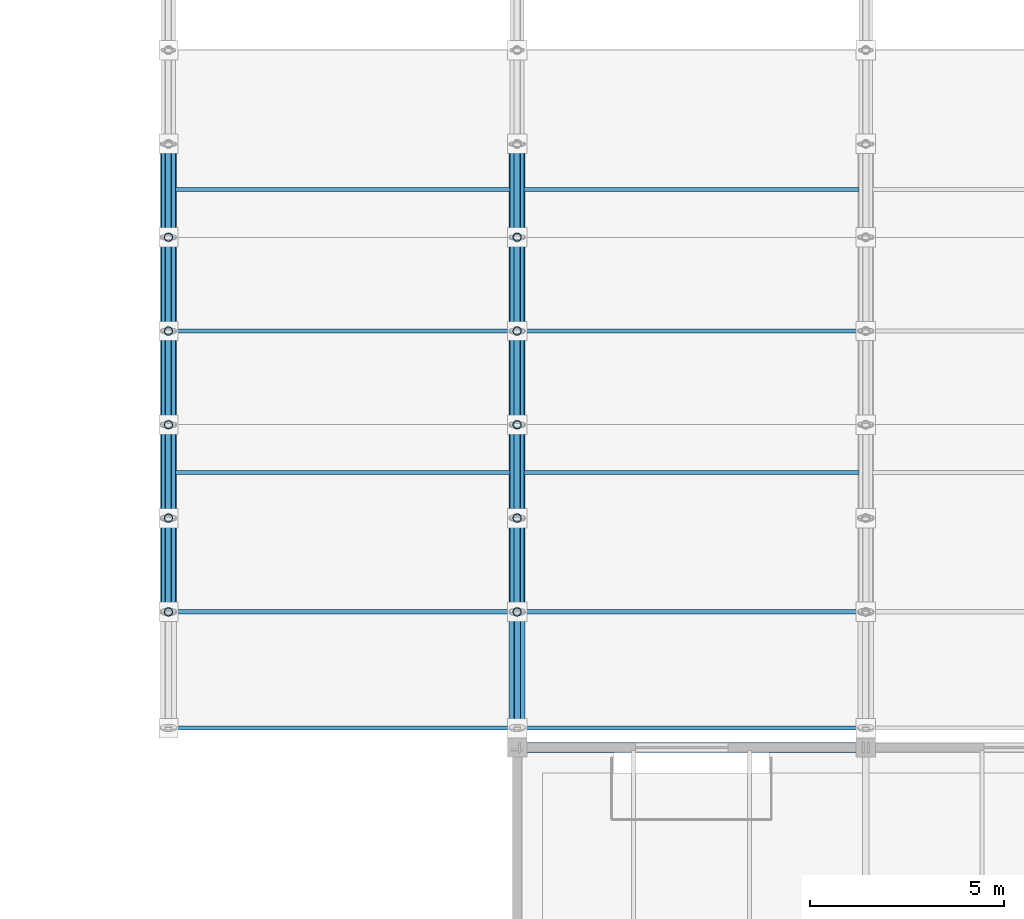
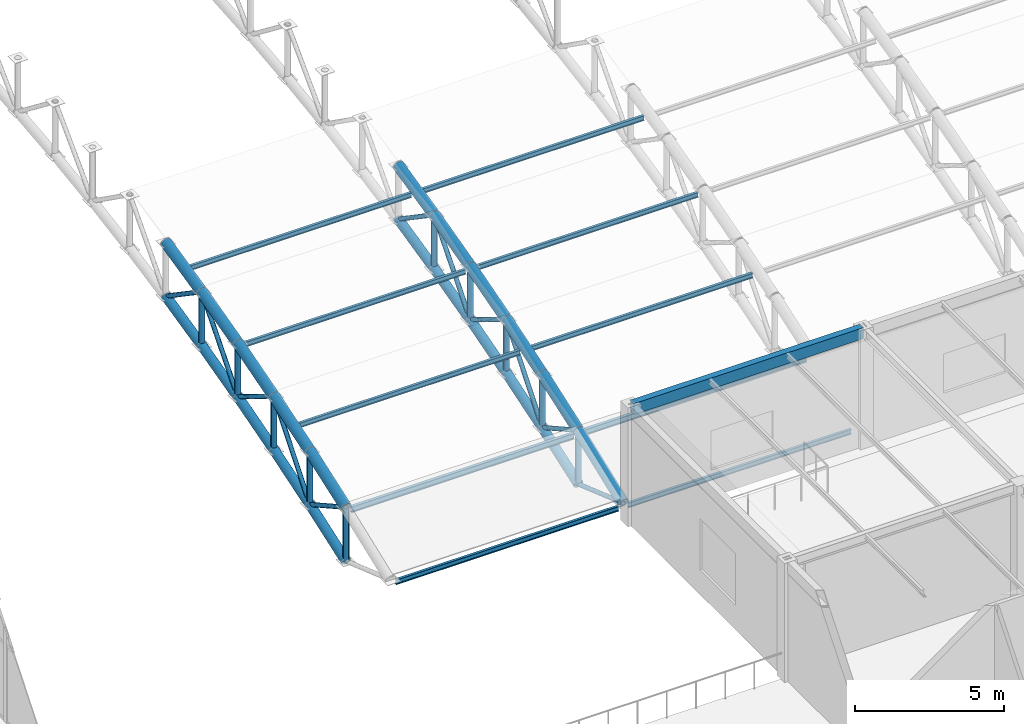
# One storey, part 67 of 195: 52 members, 1 beam.
"""IFC4 building model written with IfcOpenShell, lengths in metres."""

from ifc_helpers import new_model, si_unit, direction, frame, origin, origin_2d, place, context, subcontext, project, spatial, hollow_rectangle, hollow_circle, i_section, extrude, material, material_profile, profile_set, type_object, element, save


model = new_model("IFC4")

# Units and contexts
model_context = context("Model", 3, precision=1e-05, world=origin(), true_north=direction((0.0, 1.0)))
body_context = subcontext(model_context, "Body", "Model", "MODEL_VIEW")
ifc_project = project(units=[si_unit("LENGTHUNIT", "METRE"), si_unit("AREAUNIT", "SQUARE_METRE"), si_unit("VOLUMEUNIT", "CUBIC_METRE"), si_unit("PLANEANGLEUNIT", "RADIAN"), si_unit("MASSUNIT", "GRAM", prefix="KILO")], contexts=[model_context])

# Site, building, storey
site_placement = place(None, origin())
site = spatial("IfcSite", under=ifc_project, at=site_placement, CompositionType="ELEMENT")
building_placement = place(site_placement, origin())
building = spatial("IfcBuilding", under=site, at=building_placement, Name="Marlcrest Central Station", CompositionType="ELEMENT")
storey_placement = place(building_placement, frame((0.0, 0.0, 9.800048828125)))
storey = spatial("IfcBuildingStorey", under=building, at=storey_placement, Name="L02", CompositionType="ELEMENT", Elevation=9.800048828125)

# Members
ifc_material = material(Name="Steel S355", Category="steel")
ifc_material_profile_1 = material_profile(ifc_material, hollow_circle(Radius=0.203125, WallThickness=0.02001953125, at=origin_2d()), Name="CHS 406.4x20")
ifc_profile_set_1 = profile_set([ifc_material_profile_1], Name="Steel S355")
member_type_1 = type_object("IfcMemberType", Name="AC-01", PredefinedType="CHORD", material=ifc_profile_set_1)
member_1_placement = place(storey_placement, frame((144.0, 36.5, 1.599853515625), z_axis=(0.0, 0.94353735649, 0.331266142109), x_axis=(-1.0, 0.0, 0.0)))
element("IfcMember", 1, at=member_1_placement, inside=storey, type_object=member_type_1, Name="mem-AC-01-L02-01092", PredefinedType="CHORD", context=body_context, shape_type="SweptSolid", body=[
    extrude(hollow_circle(Radius=0.203125, WallThickness=0.02001953125, at=origin_2d()), origin(), (0.0, 0.0, 1.0), 2.564697265625),
])
member_2_placement = place(storey_placement, frame((144.0, 38.919921875, 2.449462890625), z_axis=(0.0, 0.952116828449, 0.305734435391), x_axis=(-1.0, 0.0, 0.0)))
element("IfcMember", 2, at=member_2_placement, inside=storey, type_object=member_type_1, Name="mem-AC-01-L02-01096", PredefinedType="CHORD", context=body_context, shape_type="SweptSolid", body=[
    extrude(hollow_circle(Radius=0.203125, WallThickness=0.02001953125, at=origin_2d()), origin(), (0.0, 0.0, 1.0), 2.53125),
])
member_3_placement = place(storey_placement, frame((144.0, 41.330078125, 3.223388671875), z_axis=(0.0, 0.960130083362, 0.27955361386), x_axis=(-1.0, 0.0, 0.0)))
element("IfcMember", 3, at=member_3_placement, inside=storey, type_object=member_type_1, Name="mem-AC-01-L02-01100", PredefinedType="CHORD", context=body_context, shape_type="SweptSolid", body=[
    extrude(hollow_circle(Radius=0.203125, WallThickness=0.02001953125, at=origin_2d()), origin(), (0.0, 0.0, 1.0), 2.5205078125),
])
member_4_placement = place(storey_placement, frame((144.0, 43.75, 3.927978515625), z_axis=(0.0, 0.967539481681, 0.252719906989), x_axis=(-1.0, 0.0, 0.0)))
element("IfcMember", 4, at=member_4_placement, inside=storey, type_object=member_type_1, Name="mem-AC-01-L02-01104", PredefinedType="CHORD", context=body_context, shape_type="SweptSolid", body=[
    extrude(hollow_circle(Radius=0.203125, WallThickness=0.02001953125, at=origin_2d()), origin(), (0.0, 0.0, 1.0), 2.501220703125),
])
member_5_placement = place(storey_placement, frame((144.0, 46.169921875, 4.56005859375), z_axis=(0.0, 0.974329612642, 0.225126200004), x_axis=(-1.0, 0.0, 0.0)))
element("IfcMember", 5, at=member_5_placement, inside=storey, type_object=member_type_1, Name="mem-AC-01-L02-01108", PredefinedType="CHORD", context=body_context, shape_type="SweptSolid", body=[
    extrude(hollow_circle(Radius=0.203125, WallThickness=0.02001953125, at=origin_2d()), origin(), (0.0, 0.0, 1.0), 2.4736328125),
])
member_6_placement = place(storey_placement, frame((153.0, 33.5, 0.44580078125), z_axis=(0.0, 0.933324071143, 0.359035065453), x_axis=(-1.0, 0.0, 0.0)))
element("IfcMember", 6, at=member_6_placement, inside=storey, type_object=member_type_1, Name="mem-AC-01-L02-01206", PredefinedType="CHORD", context=body_context, shape_type="SweptSolid", body=[
    extrude(hollow_circle(Radius=0.203125, WallThickness=0.02001953125, at=origin_2d()), origin(), (0.0, 0.0, 1.0), 3.21435546875),
])
member_7_placement = place(storey_placement, frame((153.0, 36.5, 1.599853515625), z_axis=(0.0, 0.94353735649, 0.331266142109), x_axis=(-1.0, 0.0, 0.0)))
element("IfcMember", 7, at=member_7_placement, inside=storey, type_object=member_type_1, Name="mem-AC-01-L02-01208", PredefinedType="CHORD", context=body_context, shape_type="SweptSolid", body=[
    extrude(hollow_circle(Radius=0.203125, WallThickness=0.02001953125, at=origin_2d()), origin(), (0.0, 0.0, 1.0), 2.564697265625),
])
member_8_placement = place(storey_placement, frame((153.0, 38.919921875, 2.449462890625), z_axis=(0.0, 0.952116828449, 0.305734435391), x_axis=(-1.0, 0.0, 0.0)))
element("IfcMember", 8, at=member_8_placement, inside=storey, type_object=member_type_1, Name="mem-AC-01-L02-01212", PredefinedType="CHORD", context=body_context, shape_type="SweptSolid", body=[
    extrude(hollow_circle(Radius=0.203125, WallThickness=0.02001953125, at=origin_2d()), origin(), (0.0, 0.0, 1.0), 2.53125),
])
member_9_placement = place(storey_placement, frame((153.0, 41.330078125, 3.223388671875), z_axis=(0.0, 0.960130083362, 0.27955361386), x_axis=(-1.0, 0.0, 0.0)))
element("IfcMember", 9, at=member_9_placement, inside=storey, type_object=member_type_1, Name="mem-AC-01-L02-01216", PredefinedType="CHORD", context=body_context, shape_type="SweptSolid", body=[
    extrude(hollow_circle(Radius=0.203125, WallThickness=0.02001953125, at=origin_2d()), origin(), (0.0, 0.0, 1.0), 2.5205078125),
])
member_10_placement = place(storey_placement, frame((153.0, 43.75, 3.927978515625), z_axis=(0.0, 0.967539481681, 0.252719906989), x_axis=(-1.0, 0.0, 0.0)))
element("IfcMember", 10, at=member_10_placement, inside=storey, type_object=member_type_1, Name="mem-AC-01-L02-01220", PredefinedType="CHORD", context=body_context, shape_type="SweptSolid", body=[
    extrude(hollow_circle(Radius=0.203125, WallThickness=0.02001953125, at=origin_2d()), origin(), (0.0, 0.0, 1.0), 2.501220703125),
])
member_11_placement = place(storey_placement, frame((153.0, 46.169921875, 4.56005859375), z_axis=(0.0, 0.974329612642, 0.225126200004), x_axis=(-1.0, 0.0, 0.0)))
element("IfcMember", 11, at=member_11_placement, inside=storey, type_object=member_type_1, Name="mem-AC-01-L02-01224", PredefinedType="CHORD", context=body_context, shape_type="SweptSolid", body=[
    extrude(hollow_circle(Radius=0.203125, WallThickness=0.02001953125, at=origin_2d()), origin(), (0.0, 0.0, 1.0), 2.4736328125),
])
ifc_material_profile_2 = material_profile(ifc_material, hollow_circle(Radius=0.177734375, WallThickness=0.01611328125, at=origin_2d()), Name="CHS 355.6x16")
ifc_profile_set_2 = profile_set([ifc_material_profile_2], Name="Steel S355")
member_type_2 = type_object("IfcMemberType", Name="AC-02", PredefinedType="CHORD", material=ifc_profile_set_2)
member_12_placement = place(storey_placement, frame((144.0, 36.5, -0.60009765625), z_axis=(0.0, 0.94353735649, 0.331266142109), x_axis=(-1.0, 0.0, 0.0)))
element("IfcMember", 12, at=member_12_placement, inside=storey, type_object=member_type_2, Name="mem-AC-02-L02-01093", PredefinedType="CHORD", context=body_context, shape_type="SweptSolid", body=[
    extrude(hollow_circle(Radius=0.177734375, WallThickness=0.01611328125, at=origin_2d()), origin(), (0.0, 0.0, 1.0), 2.564697265625),
])
member_13_placement = place(storey_placement, frame((144.0, 38.919921875, 0.24951171875), z_axis=(0.0, 0.952116828449, 0.305734435391), x_axis=(-1.0, 0.0, 0.0)))
element("IfcMember", 13, at=member_13_placement, inside=storey, type_object=member_type_2, Name="mem-AC-02-L02-01097", PredefinedType="CHORD", context=body_context, shape_type="SweptSolid", body=[
    extrude(hollow_circle(Radius=0.177734375, WallThickness=0.01611328125, at=origin_2d()), origin(), (0.0, 0.0, 1.0), 2.53125),
])
member_14_placement = place(storey_placement, frame((144.0, 41.330078125, 1.0234375), z_axis=(0.0, 0.960130083362, 0.27955361386), x_axis=(-1.0, 0.0, 0.0)))
element("IfcMember", 14, at=member_14_placement, inside=storey, type_object=member_type_2, Name="mem-AC-02-L02-01101", PredefinedType="CHORD", context=body_context, shape_type="SweptSolid", body=[
    extrude(hollow_circle(Radius=0.177734375, WallThickness=0.01611328125, at=origin_2d()), origin(), (0.0, 0.0, 1.0), 2.5205078125),
])
member_15_placement = place(storey_placement, frame((144.0, 43.75, 1.72802734375), z_axis=(0.0, 0.967563345928, 0.252628524946), x_axis=(-1.0, 0.0, 0.0)))
element("IfcMember", 15, at=member_15_placement, inside=storey, type_object=member_type_2, Name="mem-AC-02-L02-01105", PredefinedType="CHORD", context=body_context, shape_type="SweptSolid", body=[
    extrude(hollow_circle(Radius=0.177734375, WallThickness=0.01611328125, at=origin_2d()), origin(), (0.0, 0.0, 1.0), 2.5009765625),
])
member_16_placement = place(storey_placement, frame((144.0, 46.169921875, 2.35986328125), z_axis=(0.0, 0.974307959875, 0.225219891049), x_axis=(-1.0, 0.0, 0.0)))
element("IfcMember", 16, at=member_16_placement, inside=storey, type_object=member_type_2, Name="mem-AC-02-L02-01109", PredefinedType="CHORD", context=body_context, shape_type="SweptSolid", body=[
    extrude(hollow_circle(Radius=0.177734375, WallThickness=0.01611328125, at=origin_2d()), origin(), (0.0, 0.0, 1.0), 2.4736328125),
])
member_17_placement = place(storey_placement, frame((153.0, 36.5, -0.60009765625), z_axis=(0.0, 0.94353735649, 0.331266142109), x_axis=(-1.0, 0.0, 0.0)))
element("IfcMember", 17, at=member_17_placement, inside=storey, type_object=member_type_2, Name="mem-AC-02-L02-01209", PredefinedType="CHORD", context=body_context, shape_type="SweptSolid", body=[
    extrude(hollow_circle(Radius=0.177734375, WallThickness=0.01611328125, at=origin_2d()), origin(), (0.0, 0.0, 1.0), 2.564697265625),
])
member_18_placement = place(storey_placement, frame((153.0, 38.919921875, 0.24951171875), z_axis=(0.0, 0.952116828449, 0.305734435391), x_axis=(-1.0, 0.0, 0.0)))
element("IfcMember", 18, at=member_18_placement, inside=storey, type_object=member_type_2, Name="mem-AC-02-L02-01213", PredefinedType="CHORD", context=body_context, shape_type="SweptSolid", body=[
    extrude(hollow_circle(Radius=0.177734375, WallThickness=0.01611328125, at=origin_2d()), origin(), (0.0, 0.0, 1.0), 2.53125),
])
member_19_placement = place(storey_placement, frame((153.0, 41.330078125, 1.0234375), z_axis=(0.0, 0.960130083362, 0.27955361386), x_axis=(-1.0, 0.0, 0.0)))
element("IfcMember", 19, at=member_19_placement, inside=storey, type_object=member_type_2, Name="mem-AC-02-L02-01217", PredefinedType="CHORD", context=body_context, shape_type="SweptSolid", body=[
    extrude(hollow_circle(Radius=0.177734375, WallThickness=0.01611328125, at=origin_2d()), origin(), (0.0, 0.0, 1.0), 2.5205078125),
])
member_20_placement = place(storey_placement, frame((153.0, 43.75, 1.72802734375), z_axis=(0.0, 0.967563345928, 0.252628524946), x_axis=(-1.0, 0.0, 0.0)))
element("IfcMember", 20, at=member_20_placement, inside=storey, type_object=member_type_2, Name="mem-AC-02-L02-01221", PredefinedType="CHORD", context=body_context, shape_type="SweptSolid", body=[
    extrude(hollow_circle(Radius=0.177734375, WallThickness=0.01611328125, at=origin_2d()), origin(), (0.0, 0.0, 1.0), 2.5009765625),
])
member_21_placement = place(storey_placement, frame((153.0, 46.169921875, 2.35986328125), z_axis=(0.0, 0.974307959875, 0.225219891049), x_axis=(-1.0, 0.0, 0.0)))
element("IfcMember", 21, at=member_21_placement, inside=storey, type_object=member_type_2, Name="mem-AC-02-L02-01225", PredefinedType="CHORD", context=body_context, shape_type="SweptSolid", body=[
    extrude(hollow_circle(Radius=0.177734375, WallThickness=0.01611328125, at=origin_2d()), origin(), (0.0, 0.0, 1.0), 2.4736328125),
])
ifc_material_profile_3 = material_profile(ifc_material, hollow_circle(Radius=0.084228515625, WallThickness=0.010009765625, at=origin_2d()), Name="CHS 168.3x10")
ifc_profile_set_3 = profile_set([ifc_material_profile_3], Name="Steel S355")
member_type_3 = type_object("IfcMemberType", Name="AD-01", PredefinedType="BRACE", material=ifc_profile_set_3)
member_22_placement = place(storey_placement, frame((144.0, 36.5, 1.599853515625), z_axis=(0.0, 0.873245653167, -0.487280236851), x_axis=(-1.0, 0.0, 0.0)))
element("IfcMember", 22, at=member_22_placement, inside=storey, type_object=member_type_3, Name="mem-AD-01-L02-01095", PredefinedType="BRACE", context=body_context, shape_type="SweptSolid", body=[
    extrude(hollow_circle(Radius=0.084228515625, WallThickness=0.010009765625, at=origin_2d()), origin(), (0.0, 0.0, 1.0), 2.771240234375),
])
member_23_placement = place(storey_placement, frame((144.0, 38.919921875, 0.24951171875), z_axis=(0.0, 0.62962929743, 0.776895712318), x_axis=(-1.0, 0.0, 0.0)))
element("IfcMember", 23, at=member_23_placement, inside=storey, type_object=member_type_3, Name="mem-AD-01-L02-01099", PredefinedType="BRACE", context=body_context, shape_type="SweptSolid", body=[
    extrude(hollow_circle(Radius=0.084228515625, WallThickness=0.010009765625, at=origin_2d()), origin(), (0.0, 0.0, 1.0), 3.827880859375),
])
member_24_placement = place(storey_placement, frame((144.0, 41.330078125, 3.223388671875), z_axis=(0.0, 0.850687380038, -0.525671933286), x_axis=(-1.0, 0.0, 0.0)))
element("IfcMember", 24, at=member_24_placement, inside=storey, type_object=member_type_3, Name="mem-AD-01-L02-01103", PredefinedType="BRACE", context=body_context, shape_type="SweptSolid", body=[
    extrude(hollow_circle(Radius=0.084228515625, WallThickness=0.010009765625, at=origin_2d()), origin(), (0.0, 0.0, 1.0), 2.8447265625),
])
member_25_placement = place(storey_placement, frame((144.0, 43.75, 1.72802734375), z_axis=(0.0, 0.649624779144, 0.760254987699), x_axis=(-1.0, 0.0, 0.0)))
element("IfcMember", 25, at=member_25_placement, inside=storey, type_object=member_type_3, Name="mem-AD-01-L02-01107", PredefinedType="BRACE", context=body_context, shape_type="SweptSolid", body=[
    extrude(hollow_circle(Radius=0.084228515625, WallThickness=0.010009765625, at=origin_2d()), origin(), (0.0, 0.0, 1.0), 3.72509765625),
])
member_26_placement = place(storey_placement, frame((144.0, 46.169921875, 4.56005859375), z_axis=(0.0, 0.82626275624, -0.563284881432), x_axis=(-1.0, 0.0, 0.0)))
element("IfcMember", 26, at=member_26_placement, inside=storey, type_object=member_type_3, Name="mem-AD-01-L02-01111", PredefinedType="BRACE", context=body_context, shape_type="SweptSolid", body=[
    extrude(hollow_circle(Radius=0.084228515625, WallThickness=0.010009765625, at=origin_2d()), origin(), (0.0, 0.0, 1.0), 2.9169921875),
])
member_27_placement = place(storey_placement, frame((153.0, 36.5, -0.60009765625), z_axis=(0.0, -0.944260188635, 0.329200085296), x_axis=(1.0, 0.0, 0.0)))
element("IfcMember", 27, at=member_27_placement, inside=storey, type_object=member_type_3, Name="mem-AD-01-L02-01207", PredefinedType="BRACE", context=body_context, shape_type="SweptSolid", body=[
    extrude(hollow_circle(Radius=0.084228515625, WallThickness=0.010009765625, at=origin_2d()), origin(), (0.0, 0.0, 1.0), 3.177001953125),
])
member_28_placement = place(storey_placement, frame((153.0, 36.5, 1.599853515625), z_axis=(0.0, 0.873245653167, -0.487280236851), x_axis=(-1.0, 0.0, 0.0)))
element("IfcMember", 28, at=member_28_placement, inside=storey, type_object=member_type_3, Name="mem-AD-01-L02-01211", PredefinedType="BRACE", context=body_context, shape_type="SweptSolid", body=[
    extrude(hollow_circle(Radius=0.084228515625, WallThickness=0.010009765625, at=origin_2d()), origin(), (0.0, 0.0, 1.0), 2.771240234375),
])
member_29_placement = place(storey_placement, frame((153.0, 38.919921875, 0.24951171875), z_axis=(0.0, 0.62962929743, 0.776895712318), x_axis=(-1.0, 0.0, 0.0)))
element("IfcMember", 29, at=member_29_placement, inside=storey, type_object=member_type_3, Name="mem-AD-01-L02-01215", PredefinedType="BRACE", context=body_context, shape_type="SweptSolid", body=[
    extrude(hollow_circle(Radius=0.084228515625, WallThickness=0.010009765625, at=origin_2d()), origin(), (0.0, 0.0, 1.0), 3.827880859375),
])
member_30_placement = place(storey_placement, frame((153.0, 41.330078125, 3.223388671875), z_axis=(0.0, 0.850687380038, -0.525671933286), x_axis=(-1.0, 0.0, 0.0)))
element("IfcMember", 30, at=member_30_placement, inside=storey, type_object=member_type_3, Name="mem-AD-01-L02-01219", PredefinedType="BRACE", context=body_context, shape_type="SweptSolid", body=[
    extrude(hollow_circle(Radius=0.084228515625, WallThickness=0.010009765625, at=origin_2d()), origin(), (0.0, 0.0, 1.0), 2.8447265625),
])
member_31_placement = place(storey_placement, frame((153.0, 43.75, 1.72802734375), z_axis=(0.0, 0.649624779144, 0.760254987699), x_axis=(-1.0, 0.0, 0.0)))
element("IfcMember", 31, at=member_31_placement, inside=storey, type_object=member_type_3, Name="mem-AD-01-L02-01223", PredefinedType="BRACE", context=body_context, shape_type="SweptSolid", body=[
    extrude(hollow_circle(Radius=0.084228515625, WallThickness=0.010009765625, at=origin_2d()), origin(), (0.0, 0.0, 1.0), 3.72509765625),
])
member_32_placement = place(storey_placement, frame((153.0, 46.169921875, 4.56005859375), z_axis=(0.0, 0.82626275624, -0.563284881432), x_axis=(-1.0, 0.0, 0.0)))
element("IfcMember", 32, at=member_32_placement, inside=storey, type_object=member_type_3, Name="mem-AD-01-L02-01227", PredefinedType="BRACE", context=body_context, shape_type="SweptSolid", body=[
    extrude(hollow_circle(Radius=0.084228515625, WallThickness=0.010009765625, at=origin_2d()), origin(), (0.0, 0.0, 1.0), 2.9169921875),
])
ifc_material_profile_4 = material_profile(ifc_material, hollow_circle(Radius=0.109619140625, WallThickness=0.012451171875, at=origin_2d()), Name="CHS 219.1x12.5")
ifc_profile_set_4 = profile_set([ifc_material_profile_4], Name="Steel S355")
member_type_4 = type_object("IfcMemberType", Name="AP-01", PredefinedType="POST", material=ifc_profile_set_4)
for number, where, z_axis, x_axis, name in (
    (33, (144.0, 36.5, -0.60009765625), (0.0, 0.0, 1.0), (1.0, 0.0, 0.0), "mem-AP-01-L02-01094"),
    (34, (144.0, 38.919921875, 0.24951171875), (0.0, 0.0, 1.0), (1.0, 0.0, 0.0), "mem-AP-01-L02-01098"),
    (35, (144.0, 41.330078125, 1.0234375), (0.0, 0.0, 1.0), (1.0, 0.0, 0.0), "mem-AP-01-L02-01102"),
    (36, (144.0, 43.75, 1.72802734375), (0.0, 0.0, 1.0), (1.0, 0.0, 0.0), "mem-AP-01-L02-01106"),
):
    element("IfcMember", number, at=place(storey_placement, frame(where, z_axis=z_axis, x_axis=x_axis)), inside=storey, type_object=member_type_4, Name=name, PredefinedType="POST", context=body_context, shape_type="SweptSolid", body=[
        extrude(hollow_circle(Radius=0.109619140625, WallThickness=0.012451171875, at=origin_2d()), origin(), (0.0, 0.0, 1.0), 2.199951171875),
    ])
member_33_placement = place(storey_placement, frame((144.0, 46.169921875, 2.35986328125), z_axis=(0.0, 0.0, 1.0), x_axis=(1.0, 0.0, 0.0)))
element("IfcMember", 37, at=member_33_placement, inside=storey, type_object=member_type_4, Name="mem-AP-01-L02-01110", PredefinedType="POST", context=body_context, shape_type="SweptSolid", body=[
    extrude(hollow_circle(Radius=0.109619140625, WallThickness=0.012451171875, at=origin_2d()), origin(), (0.0, 0.0, 1.0), 2.2001953125),
])
for number, where, z_axis, x_axis, name in (
    (38, (153.0, 36.5, -0.60009765625), (0.0, 0.0, 1.0), (1.0, 0.0, 0.0), "mem-AP-01-L02-01210"),
    (39, (153.0, 38.919921875, 0.24951171875), (0.0, 0.0, 1.0), (1.0, 0.0, 0.0), "mem-AP-01-L02-01214"),
    (40, (153.0, 41.330078125, 1.0234375), (0.0, 0.0, 1.0), (1.0, 0.0, 0.0), "mem-AP-01-L02-01218"),
    (41, (153.0, 43.75, 1.72802734375), (0.0, 0.0, 1.0), (1.0, 0.0, 0.0), "mem-AP-01-L02-01222"),
):
    element("IfcMember", number, at=place(storey_placement, frame(where, z_axis=z_axis, x_axis=x_axis)), inside=storey, type_object=member_type_4, Name=name, PredefinedType="POST", context=body_context, shape_type="SweptSolid", body=[
        extrude(hollow_circle(Radius=0.109619140625, WallThickness=0.012451171875, at=origin_2d()), origin(), (0.0, 0.0, 1.0), 2.199951171875),
    ])
member_34_placement = place(storey_placement, frame((153.0, 46.169921875, 2.35986328125), z_axis=(0.0, 0.0, 1.0), x_axis=(1.0, 0.0, 0.0)))
element("IfcMember", 42, at=member_34_placement, inside=storey, type_object=member_type_4, Name="mem-AP-01-L02-01226", PredefinedType="POST", context=body_context, shape_type="SweptSolid", body=[
    extrude(hollow_circle(Radius=0.109619140625, WallThickness=0.012451171875, at=origin_2d()), origin(), (0.0, 0.0, 1.0), 2.2001953125),
])
ifc_material_profile_5 = material_profile(ifc_material, i_section(OverallWidth=0.10009765625, OverallDepth=0.199951171875, WebThickness=0.005615234375, FlangeThickness=0.008544921875, FilletRadius=0.011962890625, at=origin_2d()), Name="IPE 200")
ifc_profile_set_5 = profile_set([ifc_material_profile_5], Name="Steel S355")
member_type_5 = type_object("IfcMemberType", Name="PR-01", PredefinedType="PURLIN", material=ifc_profile_set_5)
for number, where, z_axis, x_axis, name in (
    (43, (144.179931640625, 33.5, 0.3056640625), (1.0, 0.0, 0.0), (0.0, 1.0, 0.0), "mem-PR-01-L02-01191"),
    (44, (144.179931640625, 40.10009765625, 2.697509765625), (1.0, 0.0, 0.0), (0.0, 1.0, 0.0), "mem-PR-01-L02-01193"),
    (45, (144.179931640625, 43.75, 3.7880859375), (1.0, 0.0, 0.0), (0.0, 1.0, 0.0), "mem-PR-01-L02-01194"),
    (46, (144.179931640625, 47.39990234375, 4.713134765625), (1.0, 0.0, 0.0), (0.0, 1.0, 0.0), "mem-PR-01-L02-01195"),
    (47, (153.179931640625, 33.5, 0.3056640625), (1.0, 0.0, 0.0), (0.0, 1.0, 0.0), "mem-PR-01-L02-01307"),
    (48, (153.179931640625, 40.10009765625, 2.697509765625), (1.0, 0.0, 0.0), (0.0, 1.0, 0.0), "mem-PR-01-L02-01309"),
    (49, (153.179931640625, 43.75, 3.7880859375), (1.0, 0.0, 0.0), (0.0, 1.0, 0.0), "mem-PR-01-L02-01310"),
    (50, (153.179931640625, 47.39990234375, 4.713134765625), (1.0, 0.0, 0.0), (0.0, 1.0, 0.0), "mem-PR-01-L02-01311"),
):
    element("IfcMember", number, at=place(storey_placement, frame(where, z_axis=z_axis, x_axis=x_axis)), inside=storey, type_object=member_type_5, Name=name, PredefinedType="PURLIN", context=body_context, shape_type="SweptSolid", body=[
        extrude(i_section(OverallWidth=0.10009765625, OverallDepth=0.199951171875, WebThickness=0.005615234375, FlangeThickness=0.008544921875, FilletRadius=0.011962890625, at=origin_2d()), origin(), (0.0, 0.0, 1.0), 8.64013671875),
    ])
ifc_material_profile_6 = material_profile(ifc_material, i_section(OverallWidth=0.1201171875, OverallDepth=0.239990234375, WebThickness=0.006103515625, FlangeThickness=0.009765625, FilletRadius=0.014892578125, at=origin_2d()), Name="IPE 240")
ifc_profile_set_6 = profile_set([ifc_material_profile_6], Name="Steel S355")
member_type_6 = type_object("IfcMemberType", Name="PR-02", PredefinedType="PURLIN", material=ifc_profile_set_6)
for number, where, z_axis, x_axis, name in (
    (51, (144.179931640625, 36.5, 1.4599609375), (1.0, 0.0, 0.0), (0.0, 1.0, 0.0), "mem-PR-02-L02-01192"),
    (52, (153.179931640625, 36.5, 1.4599609375), (1.0, 0.0, 0.0), (0.0, 1.0, 0.0), "mem-PR-02-L02-01308"),
):
    element("IfcMember", number, at=place(storey_placement, frame(where, z_axis=z_axis, x_axis=x_axis)), inside=storey, type_object=member_type_6, Name=name, PredefinedType="PURLIN", context=body_context, shape_type="SweptSolid", body=[
        extrude(i_section(OverallWidth=0.1201171875, OverallDepth=0.239990234375, WebThickness=0.006103515625, FlangeThickness=0.009765625, FilletRadius=0.014892578125, at=origin_2d()), origin(), (0.0, 0.0, 1.0), 8.64013671875),
    ])

# Beam
ifc_material_profile_7 = material_profile(ifc_material, hollow_rectangle(XDim=0.25, YDim=0.449951171875, WallThickness=0.01611328125, at=origin_2d()), Name="RHS 450x250x16")
ifc_profile_set_7 = profile_set([ifc_material_profile_7], Name="Steel S355")
beam_type = type_object("IfcBeamType", Name="SP-02", PredefinedType="SPANDREL", material=ifc_profile_set_7)
beam_placement = place(storey_placement, frame((153.06005859375, 33.0, 4.64501953125), z_axis=(1.0, 0.0, 0.0), x_axis=(0.0, 1.0, 0.0)))
element("IfcBeam", 53, at=beam_placement, inside=storey, type_object=beam_type, Name="bm-SP-02-L02-00973", PredefinedType="SPANDREL", context=body_context, shape_type="SweptSolid", body=[
    extrude(hollow_rectangle(XDim=0.25, YDim=0.449951171875, WallThickness=0.01611328125, at=origin_2d()), origin(), (0.0, 0.0, 1.0), 8.8798828125),
])

save(model, "model.ifc")
